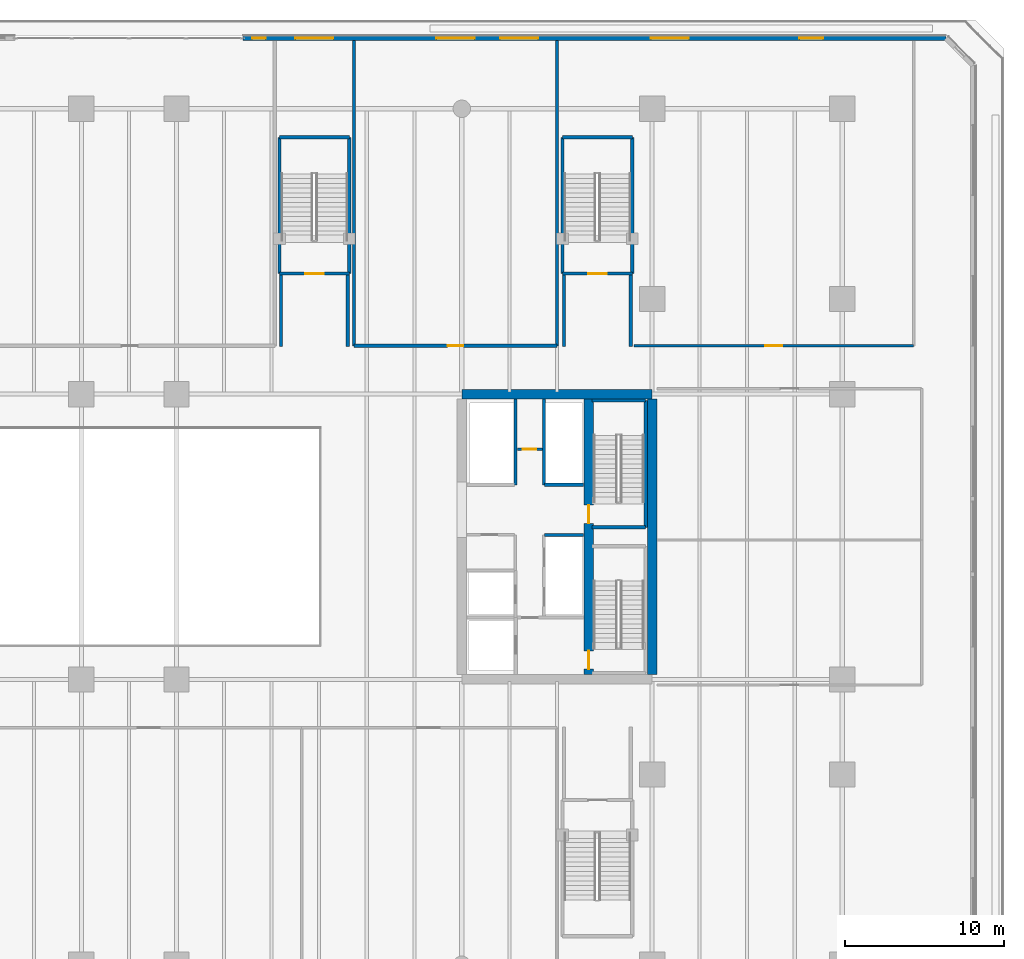
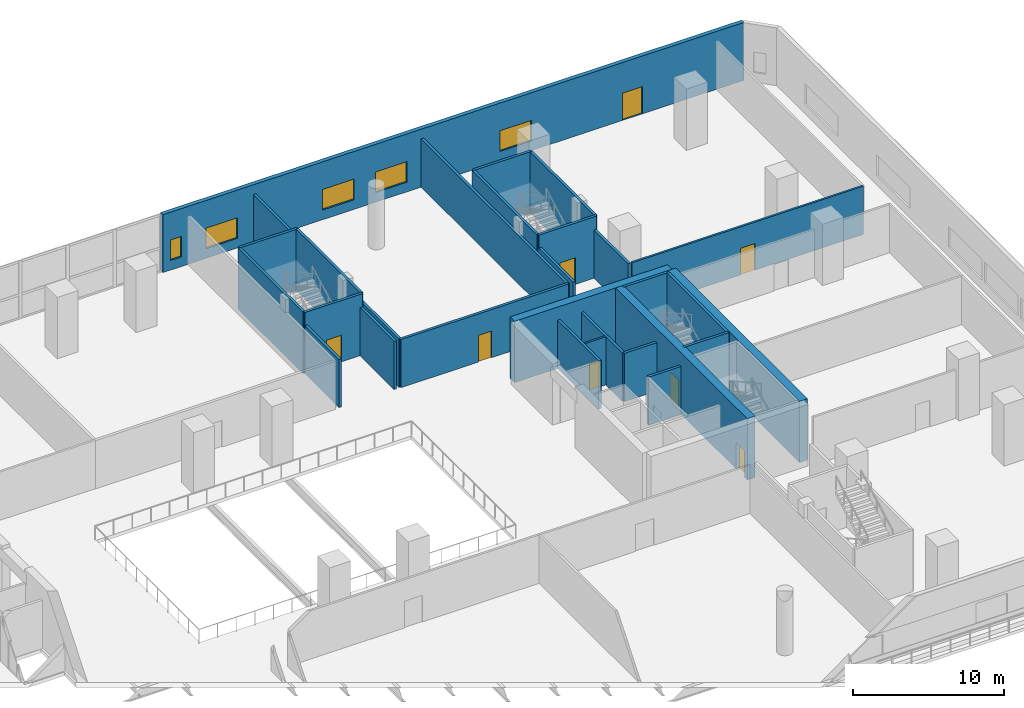
# One storey, part 15 of 27: 28 walls, 8 doors, 5 windows, 13 openings.
"""IFC4 building model written with IfcOpenShell, lengths in metres."""

from ifc_helpers import new_model, si_unit, direction, frame, frame_2d, origin, place, context, subcontext, project, spatial, rectangle, extrude, material, layer, layer_set, type_object, element, fill, save


model = new_model("IFC4")

# Units and contexts
model_context = context("Model", 3, precision=1e-05, world=origin(), true_north=direction((0.0, 1.0)))
body_context = subcontext(model_context, "Body", "Model", "MODEL_VIEW")
ifc_project = project(units=[si_unit("LENGTHUNIT", "METRE"), si_unit("AREAUNIT", "SQUARE_METRE"), si_unit("VOLUMEUNIT", "CUBIC_METRE"), si_unit("PLANEANGLEUNIT", "RADIAN"), si_unit("MASSUNIT", "GRAM", prefix="KILO")], contexts=[model_context])

# Site, building, storey
site_placement = place(None, origin())
site = spatial("IfcSite", under=ifc_project, at=site_placement, CompositionType="ELEMENT")
building_placement = place(site_placement, origin())
building = spatial("IfcBuilding", under=site, at=building_placement, Name="Tanjung Sevakor Pilgrim Tower", CompositionType="ELEMENT")
storey_placement = place(building_placement, frame((0.0, 0.0, 9.89990234375)))
storey = spatial("IfcBuildingStorey", under=building, at=storey_placement, Name="L03", CompositionType="ELEMENT", Elevation=9.89990234375)

# Walls
ifc_material_1 = material(Name="Concrete C60/75", Category="concrete")
ifc_layer_1 = layer(ifc_material_1, 0.60009765625)
ifc_layer_set_1 = layer_set([ifc_layer_1], Name="WALL-CW-600")
wall_type_1 = type_object("IfcWallType", Name="WALL-CW-600", PredefinedType="SHEAR", material=ifc_layer_set_1)
wall_1_placement = place(storey_placement, frame((90.0, 42.60009765625, 0.0), z_axis=(0.0, 0.0, 1.0), x_axis=(-1.0, 0.0, 0.0)))
element("IfcWall", 1, at=wall_1_placement, inside=storey, type_object=wall_type_1, Name="L03 E Core North Shear Wall", PredefinedType="SHEAR", context=body_context, shape_type="SweptSolid", body=[
    extrude(rectangle(XDim=12.0, YDim=0.60009765625, at=frame_2d((6.0, 0.0))), origin(), (0.0, 0.0, 1.0), 4.9501953125),
])
wall_2_placement = place(storey_placement, frame((90.0, 24.89990234375, 0.0), z_axis=(0.0, 0.0, 1.0), x_axis=(0.0, 1.0, 0.0)))
element("IfcWall", 2, at=wall_2_placement, inside=storey, type_object=wall_type_1, Name="L03 E Core Outer Shear Wall", PredefinedType="SHEAR", context=body_context, shape_type="SweptSolid", body=[
    extrude(rectangle(XDim=17.400146484375, YDim=0.60009765625, at=frame_2d((8.7001953125, 0.0))), origin(), (0.0, 0.0, 1.0), 4.9501953125),
])

# Wall, openings, doors
wall_3_placement = place(storey_placement, frame((86.0, 24.89990234375, 0.0), z_axis=(0.0, 0.0, 1.0), x_axis=(0.0, 1.0, 0.0)))
wall_3 = element("IfcWall", 3, at=wall_3_placement, inside=storey, type_object=wall_type_1, Name="L03 E Core Stair Spine Wall", PredefinedType="SHEAR", context=body_context, shape_type="SweptSolid", body=[
    extrude(rectangle(XDim=17.400146484375, YDim=0.60009765625, at=frame_2d((8.7001953125, 0.0))), origin(), (0.0, 0.0, 1.0), 4.9501953125),
])
opening_1_placement = place(wall_3_placement, frame((0.35009765625, 0.0, 0.0)))
opening_1 = element("IfcOpeningElement", 4, at=opening_1_placement, cuts=wall_3, Name="Opening ID-ST1", PredefinedType="OPENING", context=body_context, shape_type="SweptSolid", body=[
    extrude(rectangle(XDim=1.14990234375, YDim=2.14990234375, at=frame_2d((0.574951171875, 1.074951171875))), frame((0.0, 0.31005859375, 0.0), z_axis=(0.0, -1.0, 0.0), x_axis=(1.0, 0.0, 0.0)), (0.0, 0.0, 1.0), 0.6201171875),
])
opening_2_placement = place(wall_3_placement, frame((9.550048828125, 0.0, 0.0)))
opening_2 = element("IfcOpeningElement", 5, at=opening_2_placement, cuts=wall_3, Name="Opening ID-ST1", PredefinedType="OPENING", context=body_context, shape_type="SweptSolid", body=[
    extrude(rectangle(XDim=1.14990234375, YDim=2.14990234375, at=frame_2d((0.574951171875, 1.074951171875))), frame((0.0, 0.31005859375, 0.0), z_axis=(0.0, -1.0, 0.0), x_axis=(1.0, 0.0, 0.0)), (0.0, 0.0, 1.0), 0.6201171875),
])
ifc_material_2 = material(Name="Fire-Rated Steel S355J2", Category="steel")
door_type_1 = type_object("IfcDoorType", Name="DT-FIRE-1150", OperationType="NOTDEFINED", PredefinedType="DOOR", material=ifc_material_2)
door_1_placement = place(opening_1_placement, origin())
door_1 = element("IfcDoor", 6, at=door_1_placement, inside=storey, type_object=door_type_1, Name="L03 TS-E1 Stair Fire Door", OperationType="SINGLE_SWING_RIGHT", OverallHeight=2.14990234375, OverallWidth=1.14990234375, PredefinedType="DOOR", context=body_context, shape_type="SweptSolid", body=[
    extrude(rectangle(XDim=1.14990234375, YDim=2.14990234375, at=frame_2d((0.574951171875, 1.074951171875))), frame((0.0, 0.02490234375, 0.0), z_axis=(0.0, -1.0, 0.0), x_axis=(1.0, 0.0, 0.0)), (0.0, 0.0, 1.0), 0.050048828125),
])
fill(opening_1, door_1)
door_2_placement = place(opening_2_placement, origin())
door_2 = element("IfcDoor", 7, at=door_2_placement, inside=storey, type_object=door_type_1, Name="L03 TS-E2 Stair Fire Door", OperationType="SINGLE_SWING_LEFT", OverallHeight=2.14990234375, OverallWidth=1.14990234375, PredefinedType="DOOR", context=body_context, shape_type="SweptSolid", body=[
    extrude(rectangle(XDim=1.14990234375, YDim=2.14990234375, at=frame_2d((0.574951171875, 1.074951171875))), frame((0.0, 0.02490234375, 0.0), z_axis=(0.0, -1.0, 0.0), x_axis=(1.0, 0.0, 0.0)), (0.0, 0.0, 1.0), 0.050048828125),
])
fill(opening_2, door_2)

# Wall, opening, door
ifc_material_3 = material(Name="Concrete C40/50", Category="concrete")
ifc_layer_2 = layer(ifc_material_3, 0.14990234375)
ifc_layer_set_2 = layer_set([ifc_layer_2], Name="WT-COMP-150")
wall_type_2 = type_object("IfcWallType", Name="WT-COMP-150", PredefinedType="SOLIDWALL", material=ifc_layer_set_2)
wall_4_placement = place(storey_placement, frame((81.5, 39.1298828125, 0.0), z_axis=(0.0, 0.0, 1.0), x_axis=(1.0, 0.0, 0.0)))
wall_4 = element("IfcWall", 8, at=wall_4_placement, inside=storey, type_object=wall_type_2, Name="L03 Partition IW-L03-016", PredefinedType="SOLIDWALL", context=body_context, shape_type="SweptSolid", body=[
    extrude(rectangle(XDim=1.60009765625, YDim=0.14990234375, at=frame_2d((0.800048828125, 0.0))), origin(), (0.0, 0.0, 1.0), 3.889892578125),
])
opening_3_placement = place(wall_4_placement, frame((0.35009765625, 0.0, 0.0)))
opening_3 = element("IfcOpeningElement", 9, at=opening_3_placement, cuts=wall_4, Name="Opening ID-FD3", PredefinedType="OPENING", context=body_context, shape_type="SweptSolid", body=[
    extrude(rectangle(XDim=0.85009765625, YDim=2.10009765625, at=frame_2d((0.425048828125, 1.050048828125))), frame((0.0, 0.0849609375, 0.0), z_axis=(0.0, -1.0, 0.0), x_axis=(1.0, 0.0, 0.0)), (0.0, 0.0, 1.0), 0.169921875),
])
ifc_material_4 = material(Name="Fire-Rated Timber", Category="wood")
door_type_2 = type_object("IfcDoorType", Name="DT-FIRE-850", OperationType="NOTDEFINED", PredefinedType="DOOR", material=ifc_material_4)
door_3_placement = place(opening_3_placement, origin())
door_3 = element("IfcDoor", 10, at=door_3_placement, inside=storey, type_object=door_type_2, Name="L03 North Core Store Door", OperationType="SINGLE_SWING_LEFT", OverallHeight=2.10009765625, OverallWidth=0.85009765625, PredefinedType="DOOR", context=body_context, shape_type="SweptSolid", body=[
    extrude(rectangle(XDim=0.85009765625, YDim=2.10009765625, at=frame_2d((0.425048828125, 1.050048828125))), frame((0.0, 0.02490234375, 0.0), z_axis=(0.0, -1.0, 0.0), x_axis=(1.0, 0.0, 0.0)), (0.0, 0.0, 1.0), 0.050048828125),
])
fill(opening_3, door_3)

wall_5_placement = place(storey_placement, frame((88.85009765625, 45.64990234375, 0.0), z_axis=(0.0, 0.0, 1.0), x_axis=(1.0, 0.0, 0.0)))
wall_5 = element("IfcWall", 11, at=wall_5_placement, inside=storey, type_object=wall_type_2, Name="L03 Partition IW-L03-068", PredefinedType="SOLIDWALL", context=body_context, shape_type="SweptSolid", body=[
    extrude(rectangle(XDim=17.64990234375, YDim=0.14990234375, at=frame_2d((8.824951171875, 0.0))), origin(), (0.0, 0.0, 1.0), 3.889892578125),
])
opening_4_placement = place(wall_5_placement, frame((8.27490234375, 0.0, 0.0)))
opening_4 = element("IfcOpeningElement", 12, at=opening_4_placement, cuts=wall_5, Name="Opening ID-RM2", PredefinedType="OPENING", context=body_context, shape_type="SweptSolid", body=[
    extrude(rectangle(XDim=1.10009765625, YDim=2.14990234375, at=frame_2d((0.550048828125, 1.074951171875))), frame((0.0, 0.0849609375, 0.0), z_axis=(0.0, -1.0, 0.0), x_axis=(1.0, 0.0, 0.0)), (0.0, 0.0, 1.0), 0.169921875),
])
ifc_material_5 = material(Name="Hardwood Timber", Category="wood")
door_type_3 = type_object("IfcDoorType", Name="DT-INT-1100", OperationType="NOTDEFINED", PredefinedType="DOOR", material=ifc_material_5)
door_4_placement = place(opening_4_placement, origin())
door_4 = element("IfcDoor", 13, at=door_4_placement, inside=storey, type_object=door_type_3, Name="L03 NE Community Door", OperationType="SINGLE_SWING_LEFT", OverallHeight=2.14990234375, OverallWidth=1.10009765625, PredefinedType="DOOR", context=body_context, shape_type="SweptSolid", body=[
    extrude(rectangle(XDim=1.10009765625, YDim=2.14990234375, at=frame_2d((0.550048828125, 1.074951171875))), frame((0.0, 0.02490234375, 0.0), z_axis=(0.0, -1.0, 0.0), x_axis=(1.0, 0.0, 0.0)), (0.0, 0.0, 1.0), 0.050048828125),
])
fill(opening_4, door_4)

# Wall, openings, door, windows
ifc_material_6 = material(Name="Precast concrete C45/55", Category="concrete")
ifc_layer_3 = layer(ifc_material_6, 0.300048828125)
ifc_layer_set_3 = layer_set([ifc_layer_3], Name="WT-EW-STN1")
wall_type_3 = type_object("IfcWallType", Name="WT-EW-STN1", PredefinedType="SOLIDWALL", material=ifc_layer_set_3)
wall_6_placement = place(storey_placement, frame((108.537841796875, 65.050048828125, 0.0), z_axis=(0.0, 0.0, 1.0), x_axis=(-1.0, 0.0, 0.0)))
wall_6 = element("IfcWall", 14, at=wall_6_placement, inside=storey, type_object=wall_type_3, Name="L03 Cascading Podium Limestone Wall N1", PredefinedType="SOLIDWALL", context=body_context, shape_type="SweptSolid", body=[
    extrude(rectangle(XDim=44.337890625, YDim=0.300048828125, at=frame_2d((22.1689453125, 0.0))), origin(), (0.0, 0.0, 1.0), 4.669921875),
])
opening_5_placement = place(wall_6_placement, frame((7.75, 0.0, 0.0)))
opening_5 = element("IfcOpeningElement", 15, at=opening_5_placement, cuts=wall_6, Name="Opening ED-TER-1500", PredefinedType="OPENING", context=body_context, shape_type="SweptSolid", body=[
    extrude(rectangle(XDim=1.5, YDim=2.199951171875, at=frame_2d((0.75, 1.10009765625))), frame((0.0, 0.159912109375, 0.0), z_axis=(0.0, -1.0, 0.0), x_axis=(1.0, 0.0, 0.0)), (0.0, 0.0, 1.0), 0.320068359375),
])
opening_6_placement = place(wall_6_placement, frame((42.912841796875, 0.0, 0.780029296875)))
opening_6 = element("IfcOpeningElement", 16, at=opening_6_placement, cuts=wall_6, Name="Opening WN-SLM", PredefinedType="OPENING", context=body_context, shape_type="SweptSolid", body=[
    extrude(rectangle(XDim=0.85009765625, YDim=1.64990234375, at=frame_2d((0.425048828125, 0.824951171875))), frame((0.0, 0.159912109375, 0.0), z_axis=(0.0, -1.0, 0.0), x_axis=(1.0, 0.0, 0.0)), (0.0, 0.0, 1.0), 0.320068359375),
])
opening_7_placement = place(wall_6_placement, frame((29.73779296875, 0.0, 0.780029296875)))
opening_7 = element("IfcOpeningElement", 17, at=opening_7_placement, cuts=wall_6, Name="Opening WN-P1-1660", PredefinedType="OPENING", context=body_context, shape_type="SweptSolid", body=[
    extrude(rectangle(XDim=2.39990234375, YDim=1.659912109375, at=frame_2d((1.199951171875, 0.830078125))), frame((0.0, 0.159912109375, 0.0), z_axis=(0.0, -1.0, 0.0), x_axis=(1.0, 0.0, 0.0)), (0.0, 0.0, 1.0), 0.320068359375),
])
opening_8_placement = place(wall_6_placement, frame((38.637939453125, 0.0, 0.780029296875)))
opening_8 = element("IfcOpeningElement", 18, at=opening_8_placement, cuts=wall_6, Name="Opening WN-P1-1660", PredefinedType="OPENING", context=body_context, shape_type="SweptSolid", body=[
    extrude(rectangle(XDim=2.39990234375, YDim=1.659912109375, at=frame_2d((1.199951171875, 0.830078125))), frame((0.0, 0.159912109375, 0.0), z_axis=(0.0, -1.0, 0.0), x_axis=(1.0, 0.0, 0.0)), (0.0, 0.0, 1.0), 0.320068359375),
])
opening_9_placement = place(wall_6_placement, frame((16.218994140625, 0.0, 0.780029296875)))
opening_9 = element("IfcOpeningElement", 19, at=opening_9_placement, cuts=wall_6, Name="Opening WN-P1-1660", PredefinedType="OPENING", context=body_context, shape_type="SweptSolid", body=[
    extrude(rectangle(XDim=2.39990234375, YDim=1.659912109375, at=frame_2d((1.199951171875, 0.830078125))), frame((0.0, 0.159912109375, 0.0), z_axis=(0.0, -1.0, 0.0), x_axis=(1.0, 0.0, 0.0)), (0.0, 0.0, 1.0), 0.320068359375),
])
opening_10_placement = place(wall_6_placement, frame((25.718994140625, 0.0, 0.780029296875)))
opening_10 = element("IfcOpeningElement", 20, at=opening_10_placement, cuts=wall_6, Name="Opening WN-P1-1660", PredefinedType="OPENING", context=body_context, shape_type="SweptSolid", body=[
    extrude(rectangle(XDim=2.39990234375, YDim=1.659912109375, at=frame_2d((1.199951171875, 0.830078125))), frame((0.0, 0.159912109375, 0.0), z_axis=(0.0, -1.0, 0.0), x_axis=(1.0, 0.0, 0.0)), (0.0, 0.0, 1.0), 0.320068359375),
])
ifc_material_7 = material(Name="Anodised Aluminium and Laminated Glass", Category="aluminium")
door_type_4 = type_object("IfcDoorType", Name="DTYP-ED-TER-1500", OperationType="DOUBLE_DOOR_SINGLE_SWING", PredefinedType="DOOR", material=ifc_material_7)
door_5_placement = place(opening_5_placement, frame((1.5, 0.0, 0.0), z_axis=(0.0, 0.0, 1.0), x_axis=(-1.0, 0.0, 0.0)))
door_5 = element("IfcDoor", 21, at=door_5_placement, inside=storey, type_object=door_type_4, Name="L03 Cascading Garden Terrace Door N", OperationType="SINGLE_SWING_LEFT", OverallHeight=2.199951171875, OverallWidth=1.5, PredefinedType="DOOR", context=body_context, shape_type="SweptSolid", body=[
    extrude(rectangle(XDim=1.5, YDim=2.199951171875, at=frame_2d((0.75, 1.10009765625))), frame((0.0, 0.02490234375, 0.0), z_axis=(0.0, -1.0, 0.0), x_axis=(1.0, 0.0, 0.0)), (0.0, 0.0, 1.0), 0.050048828125),
])
fill(opening_5, door_5)
ifc_material_8 = material(Name="Thermally Broken Aluminium and Low-E Glass", Category="aluminium")
window_type_1 = type_object("IfcWindowType", Name="WTYP-WN-P1-1660", PartitioningType="DOUBLE_PANEL_VERTICAL", PredefinedType="WINDOW", material=ifc_material_8)
window_1_placement = place(opening_7_placement, origin())
window_1 = element("IfcWindow", 22, at=window_1_placement, inside=storey, type_object=window_type_1, Name="L03 Facade Window 02", OverallHeight=1.659912109375, OverallWidth=2.39990234375, PartitioningType="SINGLE_PANEL", PredefinedType="WINDOW", context=body_context, shape_type="SweptSolid", body=[
    extrude(rectangle(XDim=2.39990234375, YDim=1.659912109375, at=frame_2d((1.199951171875, 0.830078125))), frame((0.0, 0.030029296875, 0.0), z_axis=(0.0, -1.0, 0.0), x_axis=(1.0, 0.0, 0.0)), (0.0, 0.0, 1.0), 0.06005859375),
])
fill(opening_7, window_1)
window_2_placement = place(opening_8_placement, origin())
window_2 = element("IfcWindow", 23, at=window_2_placement, inside=storey, type_object=window_type_1, Name="L03 Facade Window 03", OverallHeight=1.659912109375, OverallWidth=2.39990234375, PartitioningType="SINGLE_PANEL", PredefinedType="WINDOW", context=body_context, shape_type="SweptSolid", body=[
    extrude(rectangle(XDim=2.39990234375, YDim=1.659912109375, at=frame_2d((1.199951171875, 0.830078125))), frame((0.0, 0.030029296875, 0.0), z_axis=(0.0, -1.0, 0.0), x_axis=(1.0, 0.0, 0.0)), (0.0, 0.0, 1.0), 0.06005859375),
])
fill(opening_8, window_2)
window_3_placement = place(opening_9_placement, origin())
window_3 = element("IfcWindow", 24, at=window_3_placement, inside=storey, type_object=window_type_1, Name="L03 Facade Window 04", OverallHeight=1.659912109375, OverallWidth=2.39990234375, PartitioningType="SINGLE_PANEL", PredefinedType="WINDOW", context=body_context, shape_type="SweptSolid", body=[
    extrude(rectangle(XDim=2.39990234375, YDim=1.659912109375, at=frame_2d((1.199951171875, 0.830078125))), frame((0.0, 0.030029296875, 0.0), z_axis=(0.0, -1.0, 0.0), x_axis=(1.0, 0.0, 0.0)), (0.0, 0.0, 1.0), 0.06005859375),
])
fill(opening_9, window_3)
window_4_placement = place(opening_10_placement, origin())
window_4 = element("IfcWindow", 25, at=window_4_placement, inside=storey, type_object=window_type_1, Name="L03 Facade Window 05", OverallHeight=1.659912109375, OverallWidth=2.39990234375, PartitioningType="SINGLE_PANEL", PredefinedType="WINDOW", context=body_context, shape_type="SweptSolid", body=[
    extrude(rectangle(XDim=2.39990234375, YDim=1.659912109375, at=frame_2d((1.199951171875, 0.830078125))), frame((0.0, 0.030029296875, 0.0), z_axis=(0.0, -1.0, 0.0), x_axis=(1.0, 0.0, 0.0)), (0.0, 0.0, 1.0), 0.06005859375),
])
fill(opening_10, window_4)
ifc_material_9 = material(Name="Thermally Broken Aluminium and Low-E Glass", Category="aluminium")
window_type_2 = type_object("IfcWindowType", Name="WTYP-WN-SLM", PartitioningType="SINGLE_PANEL", PredefinedType="WINDOW", material=ifc_material_9)
window_5_placement = place(opening_6_placement, origin())
window_5 = element("IfcWindow", 26, at=window_5_placement, inside=storey, type_object=window_type_2, Name="L03 Facade Window 01", OverallHeight=1.64990234375, OverallWidth=0.85009765625, PartitioningType="SINGLE_PANEL", PredefinedType="WINDOW", context=body_context, shape_type="SweptSolid", body=[
    extrude(rectangle(XDim=0.85009765625, YDim=1.64990234375, at=frame_2d((0.425048828125, 0.824951171875))), frame((0.0, 0.030029296875, 0.0), z_axis=(0.0, -1.0, 0.0), x_axis=(1.0, 0.0, 0.0)), (0.0, 0.0, 1.0), 0.06005859375),
])
fill(opening_6, window_5)

# Walls
ifc_material_10 = material(Name="Concrete C40/50", Category="concrete")
ifc_layer_4 = layer(ifc_material_10, 0.199951171875)
ifc_layer_set_4 = layer_set([ifc_layer_4], Name="WT-FIRE-200")
wall_type_4 = type_object("IfcWallType", Name="WT-FIRE-200", PredefinedType="SOLIDWALL", material=ifc_layer_set_4)
wall_7_placement = place(storey_placement, frame((86.199951171875, 34.199951171875, 0.0), z_axis=(0.0, 0.0, 1.0), x_axis=(1.0, 0.0, 0.0)))
element("IfcWall", 27, at=wall_7_placement, inside=storey, type_object=wall_type_4, Name="L03 TS-E2 Shaft Wall 1", PredefinedType="SOLIDWALL", context=body_context, shape_type="SweptSolid", body=[
    extrude(rectangle(XDim=3.400146484375, YDim=0.199951171875, at=frame_2d((1.7001953125, 0.0))), origin(), (0.0, 0.0, 1.0), 4.9501953125),
])
wall_8_placement = place(storey_placement, frame((89.60009765625, 34.199951171875, 0.0), z_axis=(0.0, 0.0, 1.0), x_axis=(0.0, 1.0, 0.0)))
element("IfcWall", 28, at=wall_8_placement, inside=storey, type_object=wall_type_4, Name="L03 TS-E2 Shaft Wall 2", PredefinedType="SOLIDWALL", context=body_context, shape_type="SweptSolid", body=[
    extrude(rectangle(XDim=8.0, YDim=0.199951171875, at=frame_2d((4.0, 0.0))), origin(), (0.0, 0.0, 1.0), 4.9501953125),
])
wall_9_placement = place(storey_placement, frame((89.60009765625, 42.199951171875, 0.0), z_axis=(0.0, 0.0, 1.0), x_axis=(-1.0, 0.0, 0.0)))
element("IfcWall", 29, at=wall_9_placement, inside=storey, type_object=wall_type_4, Name="L03 TS-E2 Shaft Wall 3", PredefinedType="SOLIDWALL", context=body_context, shape_type="SweptSolid", body=[
    extrude(rectangle(XDim=3.400146484375, YDim=0.199951171875, at=frame_2d((1.7001953125, 0.0))), origin(), (0.0, 0.0, 1.0), 4.9501953125),
])

# Wall, opening, door
wall_10_placement = place(storey_placement, frame((66.5, 50.199951171875, 0.0), z_axis=(0.0, 0.0, 1.0), x_axis=(1.0, 0.0, 0.0)))
wall_10 = element("IfcWall", 30, at=wall_10_placement, inside=storey, type_object=wall_type_4, Name="L03 PS-4 Shaft Wall 1", PredefinedType="SOLIDWALL", context=body_context, shape_type="SweptSolid", body=[
    extrude(rectangle(XDim=4.39990234375, YDim=0.199951171875, at=frame_2d((2.199951171875, 0.0))), origin(), (0.0, 0.0, 1.0), 4.9501953125),
])
opening_11_placement = place(wall_10_placement, frame((1.625, 0.0, 0.0)))
opening_11 = element("IfcOpeningElement", 31, at=opening_11_placement, cuts=wall_10, Name="Opening ID-ST1", PredefinedType="OPENING", context=body_context, shape_type="SweptSolid", body=[
    extrude(rectangle(XDim=1.14990234375, YDim=2.14990234375, at=frame_2d((0.574951171875, 1.074951171875))), frame((0.0, 0.10986328125, 0.0), z_axis=(0.0, -1.0, 0.0), x_axis=(1.0, 0.0, 0.0)), (0.0, 0.0, 1.0), 0.219970703125),
])
door_6_placement = place(opening_11_placement, origin())
door_6 = element("IfcDoor", 32, at=door_6_placement, inside=storey, type_object=door_type_1, Name="L03 PS-4 Stair Entry Fire Door", OperationType="SINGLE_SWING_LEFT", OverallHeight=2.14990234375, OverallWidth=1.14990234375, PredefinedType="DOOR", context=body_context, shape_type="SweptSolid", body=[
    extrude(rectangle(XDim=1.14990234375, YDim=2.14990234375, at=frame_2d((0.574951171875, 1.074951171875))), frame((0.0, 0.02490234375, 0.0), z_axis=(0.0, -1.0, 0.0), x_axis=(1.0, 0.0, 0.0)), (0.0, 0.0, 1.0), 0.050048828125),
])
fill(opening_11, door_6)

# Walls
wall_11_placement = place(storey_placement, frame((70.89990234375, 50.199951171875, 0.0), z_axis=(0.0, 0.0, 1.0), x_axis=(0.0, 1.0, 0.0)))
element("IfcWall", 33, at=wall_11_placement, inside=storey, type_object=wall_type_4, Name="L03 PS-4 Shaft Wall 2", PredefinedType="SOLIDWALL", context=body_context, shape_type="SweptSolid", body=[
    extrude(rectangle(XDim=8.60009765625, YDim=0.199951171875, at=frame_2d((4.300048828125, 0.0))), origin(), (0.0, 0.0, 1.0), 4.9501953125),
])
wall_12_placement = place(storey_placement, frame((70.89990234375, 58.800048828125, 0.0), z_axis=(0.0, 0.0, 1.0), x_axis=(-1.0, 0.0, 0.0)))
element("IfcWall", 34, at=wall_12_placement, inside=storey, type_object=wall_type_4, Name="L03 PS-4 Shaft Wall 3", PredefinedType="SOLIDWALL", context=body_context, shape_type="SweptSolid", body=[
    extrude(rectangle(XDim=4.39990234375, YDim=0.199951171875, at=frame_2d((2.199951171875, 0.0))), origin(), (0.0, 0.0, 1.0), 4.9501953125),
])
wall_13_placement = place(storey_placement, frame((66.5, 58.800048828125, 0.0), z_axis=(0.0, 0.0, 1.0), x_axis=(0.0, -1.0, 0.0)))
element("IfcWall", 35, at=wall_13_placement, inside=storey, type_object=wall_type_4, Name="L03 PS-4 Shaft Wall 4", PredefinedType="SOLIDWALL", context=body_context, shape_type="SweptSolid", body=[
    extrude(rectangle(XDim=8.60009765625, YDim=0.199951171875, at=frame_2d((4.300048828125, 0.0))), origin(), (0.0, 0.0, 1.0), 4.9501953125),
])

# Wall, opening, door
wall_14_placement = place(storey_placement, frame((84.35009765625, 50.199951171875, 0.0), z_axis=(0.0, 0.0, 1.0), x_axis=(1.0, 0.0, 0.0)))
wall_14 = element("IfcWall", 36, at=wall_14_placement, inside=storey, type_object=wall_type_4, Name="L03 PS-6 Shaft Wall 1", PredefinedType="SOLIDWALL", context=body_context, shape_type="SweptSolid", body=[
    extrude(rectangle(XDim=4.39990234375, YDim=0.199951171875, at=frame_2d((2.199951171875, 0.0))), origin(), (0.0, 0.0, 1.0), 4.9501953125),
])
opening_12_placement = place(wall_14_placement, frame((1.625, 0.0, 0.0)))
opening_12 = element("IfcOpeningElement", 37, at=opening_12_placement, cuts=wall_14, Name="Opening ID-ST1", PredefinedType="OPENING", context=body_context, shape_type="SweptSolid", body=[
    extrude(rectangle(XDim=1.14990234375, YDim=2.14990234375, at=frame_2d((0.574951171875, 1.074951171875))), frame((0.0, 0.10986328125, 0.0), z_axis=(0.0, -1.0, 0.0), x_axis=(1.0, 0.0, 0.0)), (0.0, 0.0, 1.0), 0.219970703125),
])
door_7_placement = place(opening_12_placement, origin())
door_7 = element("IfcDoor", 38, at=door_7_placement, inside=storey, type_object=door_type_1, Name="L03 PS-6 Stair Entry Fire Door", OperationType="SINGLE_SWING_LEFT", OverallHeight=2.14990234375, OverallWidth=1.14990234375, PredefinedType="DOOR", context=body_context, shape_type="SweptSolid", body=[
    extrude(rectangle(XDim=1.14990234375, YDim=2.14990234375, at=frame_2d((0.574951171875, 1.074951171875))), frame((0.0, 0.02490234375, 0.0), z_axis=(0.0, -1.0, 0.0), x_axis=(1.0, 0.0, 0.0)), (0.0, 0.0, 1.0), 0.050048828125),
])
fill(opening_12, door_7)

# Walls
wall_15_placement = place(storey_placement, frame((88.75, 50.199951171875, 0.0), z_axis=(0.0, 0.0, 1.0), x_axis=(0.0, 1.0, 0.0)))
element("IfcWall", 39, at=wall_15_placement, inside=storey, type_object=wall_type_4, Name="L03 PS-6 Shaft Wall 2", PredefinedType="SOLIDWALL", context=body_context, shape_type="SweptSolid", body=[
    extrude(rectangle(XDim=8.60009765625, YDim=0.199951171875, at=frame_2d((4.300048828125, 0.0))), origin(), (0.0, 0.0, 1.0), 4.9501953125),
])
wall_16_placement = place(storey_placement, frame((88.75, 58.800048828125, 0.0), z_axis=(0.0, 0.0, 1.0), x_axis=(-1.0, 0.0, 0.0)))
element("IfcWall", 40, at=wall_16_placement, inside=storey, type_object=wall_type_4, Name="L03 PS-6 Shaft Wall 3", PredefinedType="SOLIDWALL", context=body_context, shape_type="SweptSolid", body=[
    extrude(rectangle(XDim=4.39990234375, YDim=0.199951171875, at=frame_2d((2.199951171875, 0.0))), origin(), (0.0, 0.0, 1.0), 4.9501953125),
])
wall_17_placement = place(storey_placement, frame((84.35009765625, 58.800048828125, 0.0), z_axis=(0.0, 0.0, 1.0), x_axis=(0.0, -1.0, 0.0)))
element("IfcWall", 41, at=wall_17_placement, inside=storey, type_object=wall_type_4, Name="L03 PS-6 Shaft Wall 4", PredefinedType="SOLIDWALL", context=body_context, shape_type="SweptSolid", body=[
    extrude(rectangle(XDim=8.60009765625, YDim=0.199951171875, at=frame_2d((4.300048828125, 0.0))), origin(), (0.0, 0.0, 1.0), 4.9501953125),
])
ifc_material_11 = material(Name="Concrete C40/50", Category="concrete")
ifc_layer_5 = layer(ifc_material_11, 0.199951171875)
ifc_layer_set_5 = layer_set([ifc_layer_5], Name="WT-FPRT-200")
wall_type_5 = type_object("IfcWallType", Name="WT-FPRT-200", PredefinedType="SOLIDWALL", material=ifc_layer_set_5)
for number, where, z_axis, x_axis, name in (
    (42, (83.199951171875, 33.719970703125, 0.0), (0.0, 0.0, 1.0), (1.0, 0.0, 0.0), "L03 Partition IW-L03-017"),
    (43, (83.199951171875, 36.8798828125, 0.0), (0.0, 0.0, 1.0), (1.0, 0.0, 0.0), "L03 Partition IW-L03-023"),
):
    element("IfcWall", number, at=place(storey_placement, frame(where, z_axis=z_axis, x_axis=x_axis)), inside=storey, type_object=wall_type_5, Name=name, PredefinedType="SOLIDWALL", context=body_context, shape_type="SweptSolid", body=[
        extrude(rectangle(XDim=2.47998046875, YDim=0.199951171875, at=frame_2d((1.239990234375, 0.0))), origin(), (0.0, 0.0, 1.0), 3.889892578125),
    ])
for number, where, z_axis, x_axis, name in (
    (44, (83.179931640625, 36.8798828125, 0.0), (0.0, 0.0, 1.0), (0.0, 1.0, 0.0), "L03 Partition IW-L03-024"),
    (45, (81.3798828125, 36.8798828125, 0.0), (0.0, 0.0, 1.0), (0.0, 1.0, 0.0), "L03 Partition IW-L03-026"),
):
    element("IfcWall", number, at=place(storey_placement, frame(where, z_axis=z_axis, x_axis=x_axis)), inside=storey, type_object=wall_type_5, Name=name, PredefinedType="SOLIDWALL", context=body_context, shape_type="SweptSolid", body=[
        extrude(rectangle(XDim=5.420166015625, YDim=0.199951171875, at=frame_2d((2.7099609375, 0.0))), origin(), (0.0, 0.0, 1.0), 3.889892578125),
    ])
for number, where, z_axis, x_axis, name in (
    (46, (66.60009765625, 45.60009765625, 0.0), (0.0, 0.0, 1.0), (0.0, 1.0, 0.0), "L03 Partition IW-L03-035"),
    (47, (70.800048828125, 45.60009765625, 0.0), (0.0, 0.0, 1.0), (0.0, 1.0, 0.0), "L03 Partition IW-L03-036"),
    (48, (84.449951171875, 45.60009765625, 0.0), (0.0, 0.0, 1.0), (0.0, 1.0, 0.0), "L03 Partition IW-L03-037"),
    (49, (88.64990234375, 45.60009765625, 0.0), (0.0, 0.0, 1.0), (0.0, 1.0, 0.0), "L03 Partition IW-L03-038"),
):
    element("IfcWall", number, at=place(storey_placement, frame(where, z_axis=z_axis, x_axis=x_axis)), inside=storey, type_object=wall_type_5, Name=name, PredefinedType="SOLIDWALL", context=body_context, shape_type="SweptSolid", body=[
        extrude(rectangle(XDim=4.599853515625, YDim=0.199951171875, at=frame_2d((2.2998046875, 0.0))), origin(), (0.0, 0.0, 1.0), 3.889892578125),
    ])

# Wall, opening, door
wall_18_placement = place(storey_placement, frame((71.199951171875, 45.64990234375, 0.0), z_axis=(0.0, 0.0, 1.0), x_axis=(1.0, 0.0, 0.0)))
wall_18 = element("IfcWall", 50, at=wall_18_placement, inside=storey, type_object=wall_type_5, Name="L03 Partition IW-L03-054", PredefinedType="SOLIDWALL", context=body_context, shape_type="SweptSolid", body=[
    extrude(rectangle(XDim=12.800048828125, YDim=0.199951171875, at=frame_2d((6.39990234375, 0.0))), origin(), (0.0, 0.0, 1.0), 3.889892578125),
])
opening_13_placement = place(wall_18_placement, frame((5.89990234375, 0.0, 0.0)))
opening_13 = element("IfcOpeningElement", 51, at=opening_13_placement, cuts=wall_18, Name="Opening ID-FD1", PredefinedType="OPENING", context=body_context, shape_type="SweptSolid", body=[
    extrude(rectangle(XDim=1.0, YDim=2.14990234375, at=frame_2d((0.5, 1.074951171875))), frame((0.0, 0.10986328125, 0.0), z_axis=(0.0, -1.0, 0.0), x_axis=(1.0, 0.0, 0.0)), (0.0, 0.0, 1.0), 0.219970703125),
])
ifc_material_12 = material(Name="Fire-Rated Steel S355J2", Category="steel")
door_type_5 = type_object("IfcDoorType", Name="DT-FIRE-1000", OperationType="NOTDEFINED", PredefinedType="DOOR", material=ifc_material_12)
door_8_placement = place(opening_13_placement, origin())
door_8 = element("IfcDoor", 52, at=door_8_placement, inside=storey, type_object=door_type_5, Name="L03 Kitchen Store Door", OperationType="SINGLE_SWING_RIGHT", OverallHeight=2.14990234375, OverallWidth=1.0, PredefinedType="DOOR", context=body_context, shape_type="SweptSolid", body=[
    extrude(rectangle(XDim=1.0, YDim=2.14990234375, at=frame_2d((0.5, 1.074951171875))), frame((0.0, 0.02490234375, 0.0), z_axis=(0.0, -1.0, 0.0), x_axis=(1.0, 0.0, 0.0)), (0.0, 0.0, 1.0), 0.050048828125),
])
fill(opening_13, door_8)

# Walls
for number, where, z_axis, x_axis, name in (
    (53, (71.199951171875, 45.64990234375, 0.0), (0.0, 0.0, 1.0), (0.0, 1.0, 0.0), "L03 Partition IW-L03-055"),
    (54, (84.0, 45.64990234375, 0.0), (0.0, 0.0, 1.0), (0.0, 1.0, 0.0), "L03 Partition IW-L03-056"),
):
    element("IfcWall", number, at=place(storey_placement, frame(where, z_axis=z_axis, x_axis=x_axis)), inside=storey, type_object=wall_type_5, Name=name, PredefinedType="SOLIDWALL", context=body_context, shape_type="SweptSolid", body=[
        extrude(rectangle(XDim=19.25, YDim=0.199951171875, at=frame_2d((9.625, 0.0))), origin(), (0.0, 0.0, 1.0), 3.889892578125),
    ])

save(model, "model.ifc")
